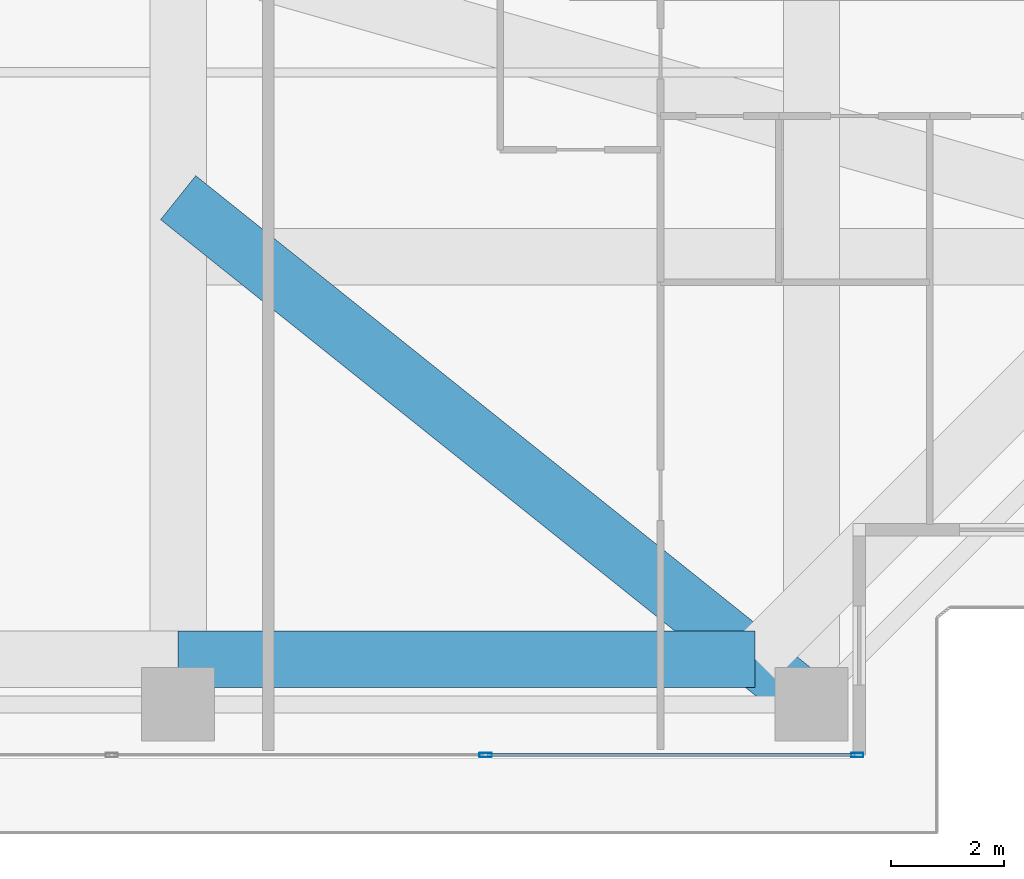
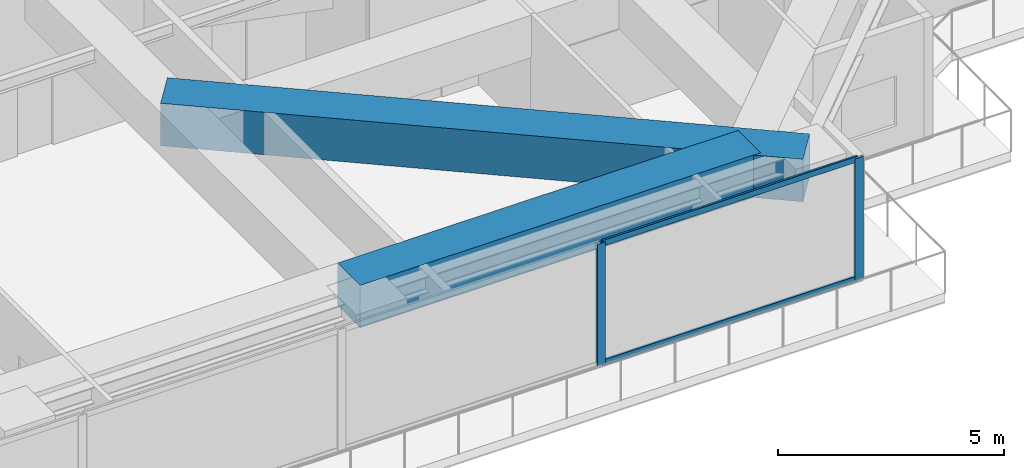
# One storey, part 9 of 32: 4 members, 2 beams, 1 element without a shape of its own.
"""IFC4 building model written with IfcOpenShell, lengths in metres."""

from ifc_helpers import new_model, si_unit, direction, frame, origin, origin_2d, place, context, subcontext, project, spatial, rectangle, hollow_rectangle, extrude, source, transform, mapped, material, layer, layer_set, material_profile, profile_set, type_object, element, aggregate, save


model = new_model("IFC4")

# Units and contexts
model_context = context("Model", 3, precision=1e-05, world=origin(), true_north=direction((0.0, 1.0)))
body_context = subcontext(model_context, "Body", "Model", "MODEL_VIEW")
ifc_project = project(units=[si_unit("LENGTHUNIT", "METRE"), si_unit("AREAUNIT", "SQUARE_METRE"), si_unit("VOLUMEUNIT", "CUBIC_METRE"), si_unit("PLANEANGLEUNIT", "RADIAN"), si_unit("MASSUNIT", "GRAM", prefix="KILO")], contexts=[model_context])

# Site, building, storey
site_placement = place(None, origin())
site = spatial("IfcSite", under=ifc_project, at=site_placement, CompositionType="ELEMENT")
building_placement = place(site_placement, origin())
building = spatial("IfcBuilding", under=site, at=building_placement, Name="Serunith Strait Residences", CompositionType="ELEMENT")
storey_placement = place(building_placement, frame((0.0, 0.0, 195.14990234375)))
storey = spatial("IfcBuildingStorey", under=building, at=storey_placement, Name="L49", CompositionType="ELEMENT", Elevation=195.14990234375)

# Beams
ifc_material_1 = material(Name="Concrete C80/95", Category="concrete")
ifc_material_profile_1 = material_profile(ifc_material_1, rectangle(XDim=1.0, YDim=1.14990234375, at=origin_2d()), Name="RC 1000x1150")
ifc_profile_set_1 = profile_set([ifc_material_profile_1], Name="Concrete C80/95")
beam_type = type_object("IfcBeamType", Name="BM-XFER-1000x1150", PredefinedType="BEAM", material=ifc_profile_set_1)
shared_shape_1 = source(origin(), body_context, "Body", "SweptSolid", [
    extrude(rectangle(XDim=1.0, YDim=1.14990234375, at=origin_2d()), origin(), (0.0, 0.0, 1.0), 14.406982421875),
])
beam_1_placement = place(storey_placement, frame((48.14990234375, 2.300048828125, 2.735107421875), z_axis=(-0.780868809443, 0.624695047554, 0.0), x_axis=(-0.624695047554, -0.780868809443, 0.0)))
element("IfcBeam", 1, at=beam_1_placement, inside=storey, type_object=beam_type, Name="L49 Diagonal Corner Transfer Girder TC-S4", PredefinedType="BEAM", context=body_context, shape_type="MappedRepresentation", body=[
    mapped(shared_shape_1, transform((0.0, 0.0, 0.0), scale=1.0)),
])
shared_shape_2 = source(origin(), body_context, "Body", "SweptSolid", [
    extrude(rectangle(XDim=1.0, YDim=1.14990234375, at=origin_2d()), origin(), (0.0, 0.0, 1.0), 10.25),
])
beam_2_placement = place(storey_placement, frame((36.89990234375, 3.10009765625, 2.735107421875), z_axis=(1.0, 0.0, 0.0), x_axis=(0.0, 1.0, 0.0)))
element("IfcBeam", 2, at=beam_2_placement, inside=storey, type_object=beam_type, Name="L49 Flare Upper Ring Transfer Girder 03", PredefinedType="BEAM", context=body_context, shape_type="MappedRepresentation", body=[
    mapped(shared_shape_2, transform((0.0, 0.0, 0.0), scale=1.0)),
])

# Curtain wall, members
ifc_material_2 = material(Name="Pale-Silver PVDF Aluminium", Category="aluminium")
ifc_layer = layer(ifc_material_2, 0.199951171875, Name="Pale-Silver PVDF Aluminium")
ifc_layer_set = layer_set([ifc_layer], Name="Pale-Silver PVDF Aluminium")
curtain_wall_type = type_object("IfcCurtainWallType", Name="CW-SYS3", PredefinedType="NOTDEFINED", material=ifc_layer_set)
curtain_wall_placement = place(storey_placement, origin())
curtain_wall = element("IfcCurtainWall", 3, at=curtain_wall_placement, inside=storey, type_object=curtain_wall_type, Name="L49 S Unitised Fritted Curtain Wall", PredefinedType="NOTDEFINED")
ifc_material_profile_2 = material_profile(ifc_material_2, hollow_rectangle(XDim=0.06005859375, YDim=0.159912109375, WallThickness=0.00341796875, InnerFilletRadius=0.00537109375, OuterFilletRadius=0.0087890625, at=origin_2d()), Name="ALU 160x60x3.5")
ifc_profile_set_2 = profile_set([ifc_material_profile_2], Name="Pale-Silver PVDF Aluminium")
member_type_1 = type_object("IfcMemberType", Name="CW-SYS3-TRAN", PredefinedType="USERDEFINED", material=ifc_profile_set_2)
shared_shape_3 = source(origin(), body_context, "Body", "SweptSolid", [
    extrude(hollow_rectangle(XDim=0.06005859375, YDim=0.159912109375, WallThickness=0.00341796875, InnerFilletRadius=0.00537109375, OuterFilletRadius=0.0087890625, at=origin_2d()), origin(), (0.0, 0.0, 1.0), 6.527587890625),
])
member_1_placement = place(storey_placement, frame((42.3974609375, 1.39990234375, 0.030029296875), z_axis=(1.0, 0.0, 0.0), x_axis=(0.0, 1.0, 0.0)))
member_1 = element("IfcMember", 4, at=member_1_placement, type_object=member_type_1, Name="CW-3 transom 5.1", ObjectType="TRANSOM", PredefinedType="USERDEFINED", context=body_context, shape_type="MappedRepresentation", body=[
    mapped(shared_shape_3, transform((0.0, 0.0, 0.0), scale=1.0)),
])
member_2_placement = place(storey_placement, frame((42.3974609375, 1.39990234375, 3.26513671875), z_axis=(1.0, 0.0, 0.0), x_axis=(0.0, 1.0, 0.0)))
member_2 = element("IfcMember", 5, at=member_2_placement, type_object=member_type_1, Name="CW-3 transom 5.2", ObjectType="TRANSOM", PredefinedType="USERDEFINED", context=body_context, shape_type="MappedRepresentation", body=[
    mapped(shared_shape_3, transform((0.0, 0.0, 0.0), scale=1.0)),
])
ifc_material_profile_3 = material_profile(ifc_material_2, hollow_rectangle(XDim=0.074951171875, YDim=0.219970703125, WallThickness=0.00390625, InnerFilletRadius=0.006103515625, OuterFilletRadius=0.010009765625, at=origin_2d()), Name="ALU 220x75x4")
ifc_profile_set_3 = profile_set([ifc_material_profile_3], Name="Pale-Silver PVDF Aluminium")
member_type_2 = type_object("IfcMemberType", Name="CW-SYS3-MULL", PredefinedType="MULLION", material=ifc_profile_set_3)
shared_shape_4 = source(origin(), body_context, "Body", "SweptSolid", [
    extrude(hollow_rectangle(XDim=0.074951171875, YDim=0.219970703125, WallThickness=0.00390625, InnerFilletRadius=0.006103515625, OuterFilletRadius=0.010009765625, at=origin_2d()), origin(), (0.0, 0.0, 1.0), 3.295166015625),
])
member_3_placement = place(storey_placement, frame((42.360107421875, 1.39990234375, 0.0), z_axis=(0.0, 0.0, 1.0), x_axis=(0.0, 1.0, 0.0)))
member_3 = element("IfcMember", 6, at=member_3_placement, type_object=member_type_2, Name="CW-3 mullion 5", PredefinedType="MULLION", context=body_context, shape_type="MappedRepresentation", body=[
    mapped(shared_shape_4, transform((0.0, 0.0, 0.0), scale=1.0)),
])
member_4_placement = place(storey_placement, frame((48.96240234375, 1.39990234375, 0.0), z_axis=(0.0, 0.0, 1.0), x_axis=(0.0, 1.0, 0.0)))
member_4 = element("IfcMember", 7, at=member_4_placement, type_object=member_type_2, Name="CW-3 mullion 6", PredefinedType="MULLION", context=body_context, shape_type="MappedRepresentation", body=[
    mapped(shared_shape_4, transform((0.0, 0.0, 0.0), scale=1.0)),
])
aggregate(curtain_wall, [member_3, member_4, member_1, member_2])

save(model, "model.ifc")
